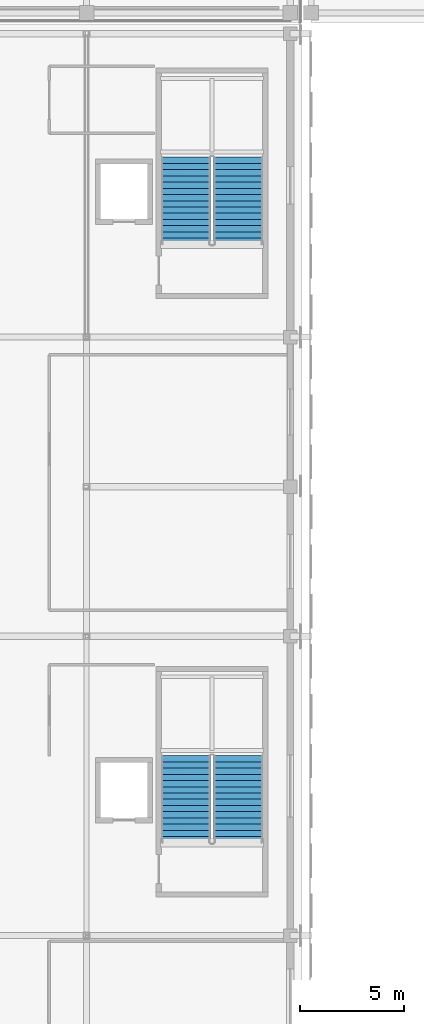
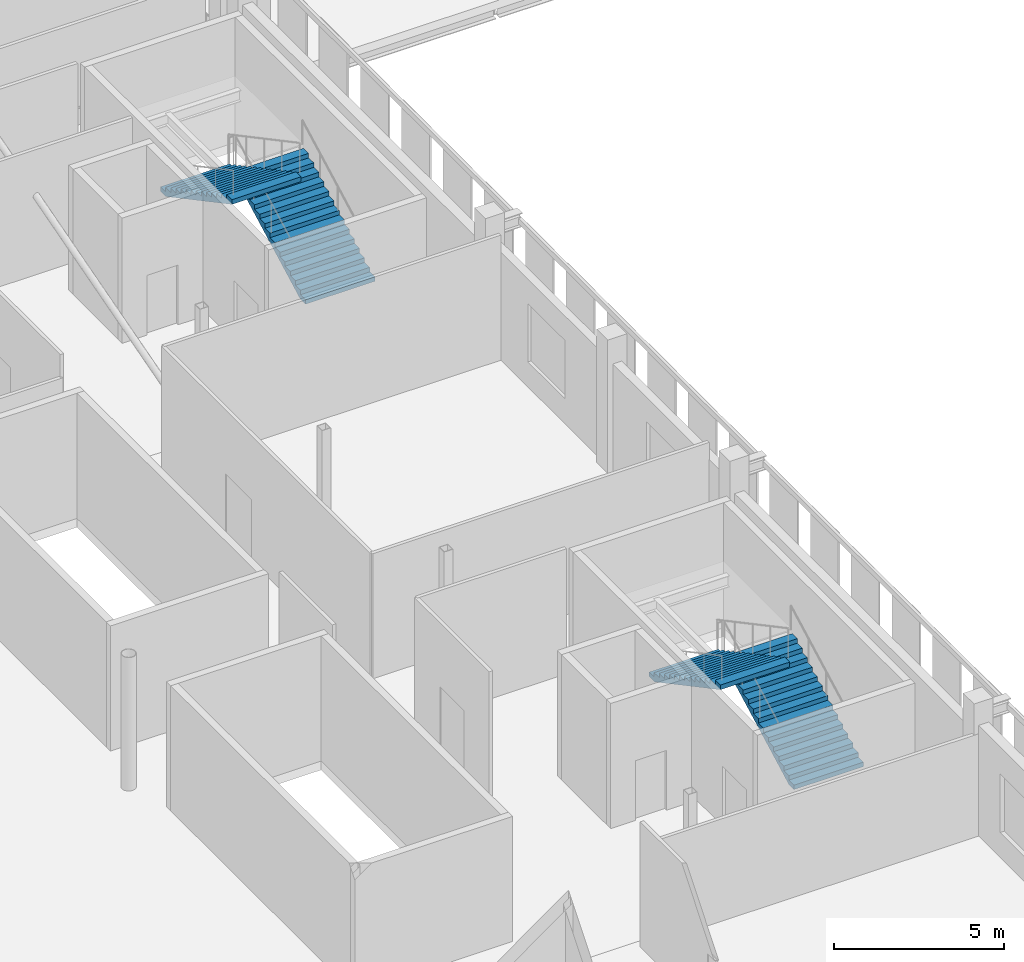
# One storey, part 46 of 74: 4 stair flights, 2 elements without a shape of their own.
"""IFC4 building model written with IfcOpenShell, lengths in metres."""

from ifc_helpers import new_model, si_unit, direction, frame, origin, place, context, subcontext, project, spatial, polyline, outline, extrude, material, type_object, element, aggregate, save


model = new_model("IFC4")

# Units and contexts
model_context = context("Model", 3, precision=1e-05, world=origin(), true_north=direction((0.0, 1.0)))
body_context = subcontext(model_context, "Body", "Model", "MODEL_VIEW")
ifc_project = project(units=[si_unit("LENGTHUNIT", "METRE"), si_unit("AREAUNIT", "SQUARE_METRE"), si_unit("VOLUMEUNIT", "CUBIC_METRE"), si_unit("PLANEANGLEUNIT", "RADIAN"), si_unit("MASSUNIT", "GRAM", prefix="KILO")], contexts=[model_context])

# Site, building, storey
site_placement = place(None, origin())
site = spatial("IfcSite", under=ifc_project, at=site_placement, CompositionType="ELEMENT")
building_placement = place(site_placement, origin())
building = spatial("IfcBuilding", under=site, at=building_placement, Name="Koshinbarg Plaza Stadium", CompositionType="ELEMENT")
storey_placement = place(building_placement, frame((0.0, 0.0, 15.0)))
storey = spatial("IfcBuildingStorey", under=building, at=storey_placement, Name="L03", CompositionType="ELEMENT", Elevation=15.0)

# Stair, stair flights
ifc_material = material(Name="Concrete C35/45", Category="concrete")
stair_type = type_object("IfcStairType", Name="ST-CORE-48", PredefinedType="HALF_TURN_STAIR", material=ifc_material)
stair_1_placement = place(storey_placement, origin())
stair_1 = element("IfcStair", 1, at=stair_1_placement, inside=storey, type_object=stair_type, Name="L03 Protected Exit Stair C09", PredefinedType="HALF_TURN_STAIR")
stair_flight_type = type_object("IfcStairFlightType", Name="SFL-CORE-48", PredefinedType="STRAIGHT", material=ifc_material)
stair_flight_1_placement = place(storey_placement, frame((215.889892578125, 87.56005859375, 0.0), z_axis=(0.0, 0.0, 1.0), x_axis=(0.0, 1.0, 0.0)))
stair_flight_1 = element("IfcStairFlight", 2, at=stair_flight_1_placement, type_object=stair_flight_type, Name="L03 Protected Exit Stair C09 flight 099", NumberOfRisers=15, NumberOfTreads=14, PredefinedType="STRAIGHT", RiserHeight=0.16, TreadLength=0.3, context=body_context, shape_type="SweptSolid", body=[
    extrude(outline(polyline([(0.0, 0.0), (0.0, 0.159912109375), (0.300048828125, 0.159912109375), (0.300048828125, 0.320068359375), (0.60009765625, 0.320068359375), (0.60009765625, 0.47998046875), (0.89990234375, 0.47998046875), (0.89990234375, 0.639892578125), (1.199951171875, 0.639892578125), (1.199951171875, 0.800048828125), (1.5, 0.800048828125), (1.5, 0.9599609375), (1.800048828125, 0.9599609375), (1.800048828125, 1.1201171875), (2.10009765625, 1.1201171875), (2.10009765625, 1.280029296875), (2.39990234375, 1.280029296875), (2.39990234375, 1.43994140625), (2.699951171875, 1.43994140625), (2.699951171875, 1.60009765625), (3.0, 1.60009765625), (3.0, 1.760009765625), (3.300048828125, 1.760009765625), (3.300048828125, 1.919921875), (3.60009765625, 1.919921875), (3.60009765625, 2.080078125), (3.89990234375, 2.080078125), (3.89990234375, 2.239990234375), (4.199951171875, 2.239990234375), (4.199951171875, 2.39990234375), (4.199951171875, 2.070068359375), (0.318603515625, 0.0), (0.0, 0.0)])), frame((0.0, 1.18017578125, 0.0), z_axis=(0.0, -1.0, 0.0), x_axis=(1.0, 0.0, 0.0)), (0.0, 0.0, 1.0), 2.360107421875),
])
stair_flight_2_placement = place(storey_placement, frame((213.3798828125, 91.760009765625, 2.39990234375), z_axis=(0.0, 0.0, 1.0), x_axis=(0.0, -1.0, 0.0)))
stair_flight_2 = element("IfcStairFlight", 3, at=stair_flight_2_placement, type_object=stair_flight_type, Name="L03 Protected Exit Stair C09 flight 100", NumberOfRisers=15, NumberOfTreads=14, PredefinedType="STRAIGHT", RiserHeight=0.16, TreadLength=0.3, context=body_context, shape_type="SweptSolid", body=[
    extrude(outline(polyline([(0.0, 0.0), (0.0, 0.159912109375), (0.300048828125, 0.159912109375), (0.300048828125, 0.320068359375), (0.60009765625, 0.320068359375), (0.60009765625, 0.47998046875), (0.89990234375, 0.47998046875), (0.89990234375, 0.639892578125), (1.199951171875, 0.639892578125), (1.199951171875, 0.800048828125), (1.5, 0.800048828125), (1.5, 0.9599609375), (1.800048828125, 0.9599609375), (1.800048828125, 1.1201171875), (2.10009765625, 1.1201171875), (2.10009765625, 1.280029296875), (2.39990234375, 1.280029296875), (2.39990234375, 1.43994140625), (2.699951171875, 1.43994140625), (2.699951171875, 1.60009765625), (3.0, 1.60009765625), (3.0, 1.760009765625), (3.300048828125, 1.760009765625), (3.300048828125, 1.919921875), (3.60009765625, 1.919921875), (3.60009765625, 2.080078125), (3.89990234375, 2.080078125), (3.89990234375, 2.239990234375), (4.199951171875, 2.239990234375), (4.199951171875, 2.39990234375), (4.199951171875, 2.070068359375), (0.318603515625, 0.0), (0.0, 0.0)])), frame((0.0, 1.18017578125, 0.0), z_axis=(0.0, -1.0, 0.0), x_axis=(1.0, 0.0, 0.0)), (0.0, 0.0, 1.0), 2.360107421875),
])
aggregate(stair_1, [stair_flight_1, stair_flight_2])

stair_2_placement = place(storey_placement, origin())
stair_2 = element("IfcStair", 4, at=stair_2_placement, inside=storey, type_object=stair_type, Name="L03 Protected Exit Stair C10", PredefinedType="HALF_TURN_STAIR")
stair_flight_3_placement = place(storey_placement, frame((215.889892578125, 116.360107421875, 0.0), z_axis=(0.0, 0.0, 1.0), x_axis=(0.0, 1.0, 0.0)))
stair_flight_3 = element("IfcStairFlight", 5, at=stair_flight_3_placement, type_object=stair_flight_type, Name="L03 Protected Exit Stair C10 flight 109", NumberOfRisers=15, NumberOfTreads=14, PredefinedType="STRAIGHT", RiserHeight=0.16, TreadLength=0.3, context=body_context, shape_type="SweptSolid", body=[
    extrude(outline(polyline([(0.0, 0.0), (0.0, 0.159912109375), (0.300048828125, 0.159912109375), (0.300048828125, 0.320068359375), (0.60009765625, 0.320068359375), (0.60009765625, 0.47998046875), (0.89990234375, 0.47998046875), (0.89990234375, 0.639892578125), (1.199951171875, 0.639892578125), (1.199951171875, 0.800048828125), (1.5, 0.800048828125), (1.5, 0.9599609375), (1.800048828125, 0.9599609375), (1.800048828125, 1.1201171875), (2.10009765625, 1.1201171875), (2.10009765625, 1.280029296875), (2.39990234375, 1.280029296875), (2.39990234375, 1.43994140625), (2.699951171875, 1.43994140625), (2.699951171875, 1.60009765625), (3.0, 1.60009765625), (3.0, 1.760009765625), (3.300048828125, 1.760009765625), (3.300048828125, 1.919921875), (3.60009765625, 1.919921875), (3.60009765625, 2.080078125), (3.89990234375, 2.080078125), (3.89990234375, 2.239990234375), (4.199951171875, 2.239990234375), (4.199951171875, 2.39990234375), (4.199951171875, 2.070068359375), (0.318603515625, 0.0), (0.0, 0.0)])), frame((0.0, 1.18017578125, 0.0), z_axis=(0.0, -1.0, 0.0), x_axis=(1.0, 0.0, 0.0)), (0.0, 0.0, 1.0), 2.360107421875),
])
stair_flight_4_placement = place(storey_placement, frame((213.3798828125, 120.56005859375, 2.39990234375), z_axis=(0.0, 0.0, 1.0), x_axis=(0.0, -1.0, 0.0)))
stair_flight_4 = element("IfcStairFlight", 6, at=stair_flight_4_placement, type_object=stair_flight_type, Name="L03 Protected Exit Stair C10 flight 110", NumberOfRisers=15, NumberOfTreads=14, PredefinedType="STRAIGHT", RiserHeight=0.16, TreadLength=0.3, context=body_context, shape_type="SweptSolid", body=[
    extrude(outline(polyline([(0.0, 0.0), (0.0, 0.159912109375), (0.300048828125, 0.159912109375), (0.300048828125, 0.320068359375), (0.60009765625, 0.320068359375), (0.60009765625, 0.47998046875), (0.89990234375, 0.47998046875), (0.89990234375, 0.639892578125), (1.199951171875, 0.639892578125), (1.199951171875, 0.800048828125), (1.5, 0.800048828125), (1.5, 0.9599609375), (1.800048828125, 0.9599609375), (1.800048828125, 1.1201171875), (2.10009765625, 1.1201171875), (2.10009765625, 1.280029296875), (2.39990234375, 1.280029296875), (2.39990234375, 1.43994140625), (2.699951171875, 1.43994140625), (2.699951171875, 1.60009765625), (3.0, 1.60009765625), (3.0, 1.760009765625), (3.300048828125, 1.760009765625), (3.300048828125, 1.919921875), (3.60009765625, 1.919921875), (3.60009765625, 2.080078125), (3.89990234375, 2.080078125), (3.89990234375, 2.239990234375), (4.199951171875, 2.239990234375), (4.199951171875, 2.39990234375), (4.199951171875, 2.070068359375), (0.318603515625, 0.0), (0.0, 0.0)])), frame((0.0, 1.18017578125, 0.0), z_axis=(0.0, -1.0, 0.0), x_axis=(1.0, 0.0, 0.0)), (0.0, 0.0, 1.0), 2.360107421875),
])
aggregate(stair_2, [stair_flight_3, stair_flight_4])

save(model, "model.ifc")
